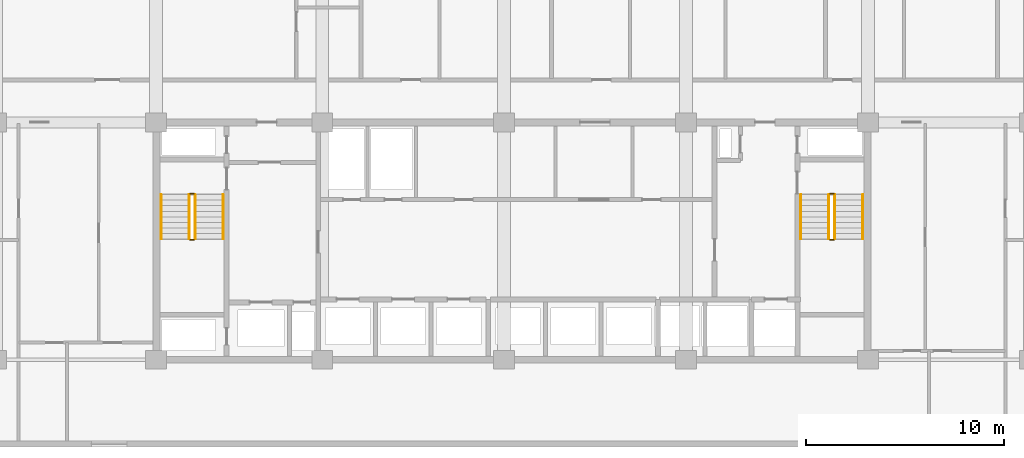
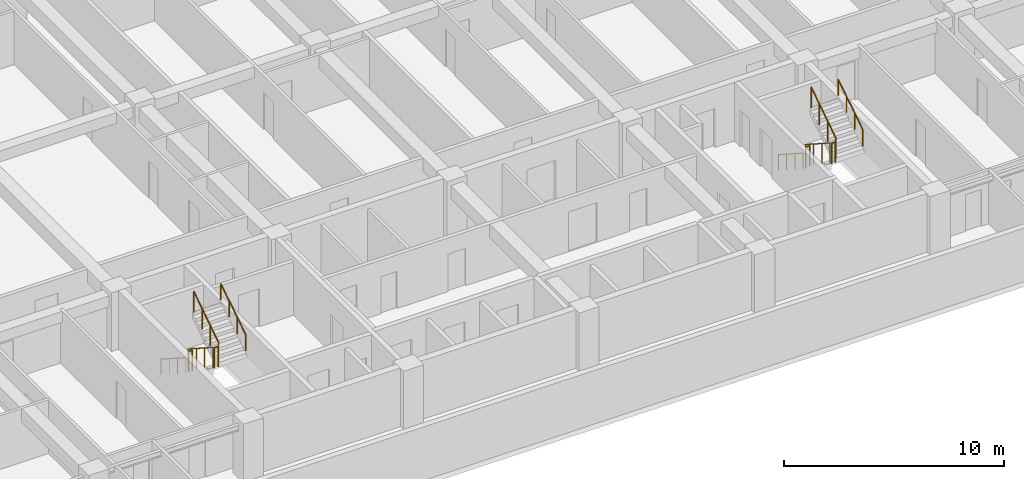
# One storey, part 23 of 24: 12 railings.
"""IFC4 building model written with IfcOpenShell, lengths in metres."""

from ifc_helpers import new_model, si_unit, direction, frame, origin, origin_2d, place, context, subcontext, project, spatial, circle, extrude, material, type_object, element, save


model = new_model("IFC4")

# Units and contexts
model_context = context("Model", 3, precision=1e-05, world=origin(), true_north=direction((0.0, 1.0)))
body_context = subcontext(model_context, "Body", "Model", "MODEL_VIEW")
ifc_project = project(units=[si_unit("LENGTHUNIT", "METRE"), si_unit("AREAUNIT", "SQUARE_METRE"), si_unit("VOLUMEUNIT", "CUBIC_METRE"), si_unit("PLANEANGLEUNIT", "RADIAN"), si_unit("MASSUNIT", "GRAM", prefix="KILO")], contexts=[model_context])

# Site, building, storey
site_placement = place(None, origin())
site = spatial("IfcSite", under=ifc_project, at=site_placement, CompositionType="ELEMENT")
building_placement = place(site_placement, origin())
building = spatial("IfcBuilding", under=site, at=building_placement, Name="Korimba Cascade Residences", CompositionType="ELEMENT")
storey_placement = place(building_placement, frame((0.0, 0.0, 66.25)))
storey = spatial("IfcBuildingStorey", under=building, at=storey_placement, Name="L18", CompositionType="ELEMENT", Elevation=66.25)

# Railings
ifc_material_1 = material(Name="Painted Steel Stairwell Guardrail", Category="steel")
railing_type_1 = type_object("IfcRailingType", Name="RLG-ST-GD1150", PredefinedType="GUARDRAIL", material=ifc_material_1)
railing_1_placement = place(storey_placement, frame((77.77001953125, 63.550048828125, 0.1806640625)))
element("IfcRailing", 1, at=railing_1_placement, inside=storey, type_object=railing_type_1, Name="L18 ST-W1 stair guard 1", PredefinedType="GUARDRAIL", context=body_context, shape_type="SweptSolid", body=[
    extrude(circle(Radius=0.02392578125, at=origin_2d()), frame((0.0, 0.0, 1.1259765625), z_axis=(0.0, -0.840436612492, 0.541909863706), x_axis=(1.0, 0.0, 0.0)), (0.0, 0.0, 1.0), 2.665283203125),
    extrude(circle(Radius=0.02099609375, at=origin_2d()), origin(), (0.0, 0.0, 1.0), 1.101806640625),
    extrude(circle(Radius=0.02099609375, at=origin_2d()), frame((0.0, -0.74658203125, 0.4814453125)), (0.0, 0.0, 1.0), 1.101806640625),
    extrude(circle(Radius=0.02099609375, at=origin_2d()), frame((0.0, -1.493408203125, 0.962890625)), (0.0, 0.0, 1.0), 1.101806640625),
    extrude(circle(Radius=0.02099609375, at=origin_2d()), frame((0.0, -2.239990234375, 1.4443359375)), (0.0, 0.0, 1.0), 1.101806640625),
])
railing_2_placement = place(storey_placement, frame((77.820068359375, 61.260009765625, 1.625)))
element("IfcRailing", 2, at=railing_2_placement, inside=storey, type_object=railing_type_1, Name="L18 ST-W1 stair guard 2", PredefinedType="GUARDRAIL", context=body_context, shape_type="SweptSolid", body=[
    extrude(circle(Radius=0.02392578125, at=origin_2d()), frame((0.0, 0.0, 1.1259765625), z_axis=(1.0, 0.0, 0.0), x_axis=(0.0, 1.0, 0.0)), (0.0, 0.0, 1.0), 0.199951171875),
    extrude(circle(Radius=0.02099609375, at=origin_2d()), origin(), (0.0, 0.0, 1.0), 1.101806640625),
    extrude(circle(Radius=0.02099609375, at=origin_2d()), frame((0.199951171875, 0.0, 0.0)), (0.0, 0.0, 1.0), 1.101806640625),
])
railing_3_placement = place(storey_placement, frame((78.070068359375, 61.31005859375, 1.8056640625)))
element("IfcRailing", 3, at=railing_3_placement, inside=storey, type_object=railing_type_1, Name="L18 ST-W1 stair guard 3", PredefinedType="GUARDRAIL", context=body_context, shape_type="SweptSolid", body=[
    extrude(circle(Radius=0.02392578125, at=origin_2d()), frame((0.0, 0.0, 1.1259765625), z_axis=(0.0, 0.840436612492, 0.541909863706), x_axis=(-1.0, 0.0, 0.0)), (0.0, 0.0, 1.0), 2.665283203125),
    extrude(circle(Radius=0.02099609375, at=origin_2d()), origin(), (0.0, 0.0, 1.0), 1.101806640625),
    extrude(circle(Radius=0.02099609375, at=origin_2d()), frame((0.0, 0.74658203125, 0.4814453125)), (0.0, 0.0, 1.0), 1.101806640625),
    extrude(circle(Radius=0.02099609375, at=origin_2d()), frame((0.0, 1.493408203125, 0.962890625)), (0.0, 0.0, 1.0), 1.101806640625),
    extrude(circle(Radius=0.02099609375, at=origin_2d()), frame((0.0, 2.239990234375, 1.4443359375)), (0.0, 0.0, 1.0), 1.101806640625),
])
railing_4_placement = place(storey_placement, frame((77.820068359375, 63.60009765625, 0.0)))
element("IfcRailing", 4, at=railing_4_placement, inside=storey, type_object=railing_type_1, Name="L18 ST-W1 stair guard 4", PredefinedType="GUARDRAIL", context=body_context, shape_type="SweptSolid", body=[
    extrude(circle(Radius=0.02392578125, at=origin_2d()), frame((0.0, 0.0, 1.1259765625), z_axis=(1.0, 0.0, 0.0), x_axis=(0.0, 1.0, 0.0)), (0.0, 0.0, 1.0), 0.199951171875),
    extrude(circle(Radius=0.02099609375, at=origin_2d()), origin(), (0.0, 0.0, 1.0), 1.101806640625),
    extrude(circle(Radius=0.02099609375, at=origin_2d()), frame((0.199951171875, 0.0, 0.0)), (0.0, 0.0, 1.0), 1.101806640625),
])
railing_5_placement = place(storey_placement, frame((110.1298828125, 63.550048828125, 0.1806640625)))
element("IfcRailing", 5, at=railing_5_placement, inside=storey, type_object=railing_type_1, Name="L18 ST-W2 stair guard 1", PredefinedType="GUARDRAIL", context=body_context, shape_type="SweptSolid", body=[
    extrude(circle(Radius=0.02392578125, at=origin_2d()), frame((0.0, 0.0, 1.1259765625), z_axis=(0.0, -0.840436612492, 0.541909863706), x_axis=(1.0, 0.0, 0.0)), (0.0, 0.0, 1.0), 2.665283203125),
    extrude(circle(Radius=0.02099609375, at=origin_2d()), origin(), (0.0, 0.0, 1.0), 1.101806640625),
    extrude(circle(Radius=0.02099609375, at=origin_2d()), frame((0.0, -0.74658203125, 0.4814453125)), (0.0, 0.0, 1.0), 1.101806640625),
    extrude(circle(Radius=0.02099609375, at=origin_2d()), frame((0.0, -1.493408203125, 0.962890625)), (0.0, 0.0, 1.0), 1.101806640625),
    extrude(circle(Radius=0.02099609375, at=origin_2d()), frame((0.0, -2.239990234375, 1.4443359375)), (0.0, 0.0, 1.0), 1.101806640625),
])
railing_6_placement = place(storey_placement, frame((110.179931640625, 61.260009765625, 1.625)))
element("IfcRailing", 6, at=railing_6_placement, inside=storey, type_object=railing_type_1, Name="L18 ST-W2 stair guard 2", PredefinedType="GUARDRAIL", context=body_context, shape_type="SweptSolid", body=[
    extrude(circle(Radius=0.02392578125, at=origin_2d()), frame((0.0, 0.0, 1.1259765625), z_axis=(1.0, 0.0, 0.0), x_axis=(0.0, 1.0, 0.0)), (0.0, 0.0, 1.0), 0.199951171875),
    extrude(circle(Radius=0.02099609375, at=origin_2d()), origin(), (0.0, 0.0, 1.0), 1.101806640625),
    extrude(circle(Radius=0.02099609375, at=origin_2d()), frame((0.199951171875, 0.0, 0.0)), (0.0, 0.0, 1.0), 1.101806640625),
])
railing_7_placement = place(storey_placement, frame((110.429931640625, 61.31005859375, 1.8056640625)))
element("IfcRailing", 7, at=railing_7_placement, inside=storey, type_object=railing_type_1, Name="L18 ST-W2 stair guard 3", PredefinedType="GUARDRAIL", context=body_context, shape_type="SweptSolid", body=[
    extrude(circle(Radius=0.02392578125, at=origin_2d()), frame((0.0, 0.0, 1.1259765625), z_axis=(0.0, 0.840436612492, 0.541909863706), x_axis=(-1.0, 0.0, 0.0)), (0.0, 0.0, 1.0), 2.665283203125),
    extrude(circle(Radius=0.02099609375, at=origin_2d()), origin(), (0.0, 0.0, 1.0), 1.101806640625),
    extrude(circle(Radius=0.02099609375, at=origin_2d()), frame((0.0, 0.74658203125, 0.4814453125)), (0.0, 0.0, 1.0), 1.101806640625),
    extrude(circle(Radius=0.02099609375, at=origin_2d()), frame((0.0, 1.493408203125, 0.962890625)), (0.0, 0.0, 1.0), 1.101806640625),
    extrude(circle(Radius=0.02099609375, at=origin_2d()), frame((0.0, 2.239990234375, 1.4443359375)), (0.0, 0.0, 1.0), 1.101806640625),
])
railing_8_placement = place(storey_placement, frame((110.179931640625, 63.60009765625, 0.0)))
element("IfcRailing", 8, at=railing_8_placement, inside=storey, type_object=railing_type_1, Name="L18 ST-W2 stair guard 4", PredefinedType="GUARDRAIL", context=body_context, shape_type="SweptSolid", body=[
    extrude(circle(Radius=0.02392578125, at=origin_2d()), frame((0.0, 0.0, 1.1259765625), z_axis=(1.0, 0.0, 0.0), x_axis=(0.0, 1.0, 0.0)), (0.0, 0.0, 1.0), 0.199951171875),
    extrude(circle(Radius=0.02099609375, at=origin_2d()), origin(), (0.0, 0.0, 1.0), 1.101806640625),
    extrude(circle(Radius=0.02099609375, at=origin_2d()), frame((0.199951171875, 0.0, 0.0)), (0.0, 0.0, 1.0), 1.101806640625),
])
ifc_material_2 = material(Name="Brushed Stainless Steel Handrail", Category="steel")
railing_type_2 = type_object("IfcRailingType", Name="RLG-ST-HR900", PredefinedType="HANDRAIL", material=ifc_material_2)
railing_9_placement = place(storey_placement, frame((76.35009765625, 63.550048828125, 0.364990234375)))
element("IfcRailing", 9, at=railing_9_placement, inside=storey, type_object=railing_type_2, Name="L18 ST-W1 stair handrail 1", PredefinedType="HANDRAIL", context=body_context, shape_type="SweptSolid", body=[
    extrude(circle(Radius=0.02392578125, at=origin_2d()), frame((0.0, 0.0, 0.8759765625), z_axis=(0.0, -0.840436612492, 0.541909863706), x_axis=(1.0, 0.0, 0.0)), (0.0, 0.0, 1.0), 2.665283203125),
    extrude(circle(Radius=0.02099609375, at=origin_2d()), origin(), (0.0, 0.0, 1.0), 0.851806640625),
    extrude(circle(Radius=0.02099609375, at=origin_2d()), frame((0.0, -0.74658203125, 0.4814453125)), (0.0, 0.0, 1.0), 0.851806640625),
    extrude(circle(Radius=0.02099609375, at=origin_2d()), frame((0.0, -1.493408203125, 0.962890625)), (0.0, 0.0, 1.0), 0.851806640625),
    extrude(circle(Radius=0.02099609375, at=origin_2d()), frame((0.0, -2.239990234375, 1.4443359375)), (0.0, 0.0, 1.0), 0.851806640625),
])
railing_10_placement = place(storey_placement, frame((79.489990234375, 61.31005859375, 1.989990234375)))
element("IfcRailing", 10, at=railing_10_placement, inside=storey, type_object=railing_type_2, Name="L18 ST-W1 stair handrail 2", PredefinedType="HANDRAIL", context=body_context, shape_type="SweptSolid", body=[
    extrude(circle(Radius=0.02392578125, at=origin_2d()), frame((0.0, 0.0, 0.8759765625), z_axis=(0.0, 0.840436612492, 0.541909863706), x_axis=(-1.0, 0.0, 0.0)), (0.0, 0.0, 1.0), 2.665283203125),
    extrude(circle(Radius=0.02099609375, at=origin_2d()), origin(), (0.0, 0.0, 1.0), 0.851806640625),
    extrude(circle(Radius=0.02099609375, at=origin_2d()), frame((0.0, 0.74658203125, 0.4814453125)), (0.0, 0.0, 1.0), 0.851806640625),
    extrude(circle(Radius=0.02099609375, at=origin_2d()), frame((0.0, 1.493408203125, 0.962890625)), (0.0, 0.0, 1.0), 0.851806640625),
    extrude(circle(Radius=0.02099609375, at=origin_2d()), frame((0.0, 2.239990234375, 1.4443359375)), (0.0, 0.0, 1.0), 0.851806640625),
])
railing_11_placement = place(storey_placement, frame((108.7099609375, 63.550048828125, 0.364990234375)))
element("IfcRailing", 11, at=railing_11_placement, inside=storey, type_object=railing_type_2, Name="L18 ST-W2 stair handrail 1", PredefinedType="HANDRAIL", context=body_context, shape_type="SweptSolid", body=[
    extrude(circle(Radius=0.02392578125, at=origin_2d()), frame((0.0, 0.0, 0.8759765625), z_axis=(0.0, -0.840436612492, 0.541909863706), x_axis=(1.0, 0.0, 0.0)), (0.0, 0.0, 1.0), 2.665283203125),
    extrude(circle(Radius=0.02099609375, at=origin_2d()), origin(), (0.0, 0.0, 1.0), 0.851806640625),
    extrude(circle(Radius=0.02099609375, at=origin_2d()), frame((0.0, -0.74658203125, 0.4814453125)), (0.0, 0.0, 1.0), 0.851806640625),
    extrude(circle(Radius=0.02099609375, at=origin_2d()), frame((0.0, -1.493408203125, 0.962890625)), (0.0, 0.0, 1.0), 0.851806640625),
    extrude(circle(Radius=0.02099609375, at=origin_2d()), frame((0.0, -2.239990234375, 1.4443359375)), (0.0, 0.0, 1.0), 0.851806640625),
])
railing_12_placement = place(storey_placement, frame((111.85009765625, 61.31005859375, 1.989990234375)))
element("IfcRailing", 12, at=railing_12_placement, inside=storey, type_object=railing_type_2, Name="L18 ST-W2 stair handrail 2", PredefinedType="HANDRAIL", context=body_context, shape_type="SweptSolid", body=[
    extrude(circle(Radius=0.02392578125, at=origin_2d()), frame((0.0, 0.0, 0.8759765625), z_axis=(0.0, 0.840436612492, 0.541909863706), x_axis=(-1.0, 0.0, 0.0)), (0.0, 0.0, 1.0), 2.665283203125),
    extrude(circle(Radius=0.02099609375, at=origin_2d()), origin(), (0.0, 0.0, 1.0), 0.851806640625),
    extrude(circle(Radius=0.02099609375, at=origin_2d()), frame((0.0, 0.74658203125, 0.4814453125)), (0.0, 0.0, 1.0), 0.851806640625),
    extrude(circle(Radius=0.02099609375, at=origin_2d()), frame((0.0, 1.493408203125, 0.962890625)), (0.0, 0.0, 1.0), 0.851806640625),
    extrude(circle(Radius=0.02099609375, at=origin_2d()), frame((0.0, 2.239990234375, 1.4443359375)), (0.0, 0.0, 1.0), 0.851806640625),
])

save(model, "model.ifc")
